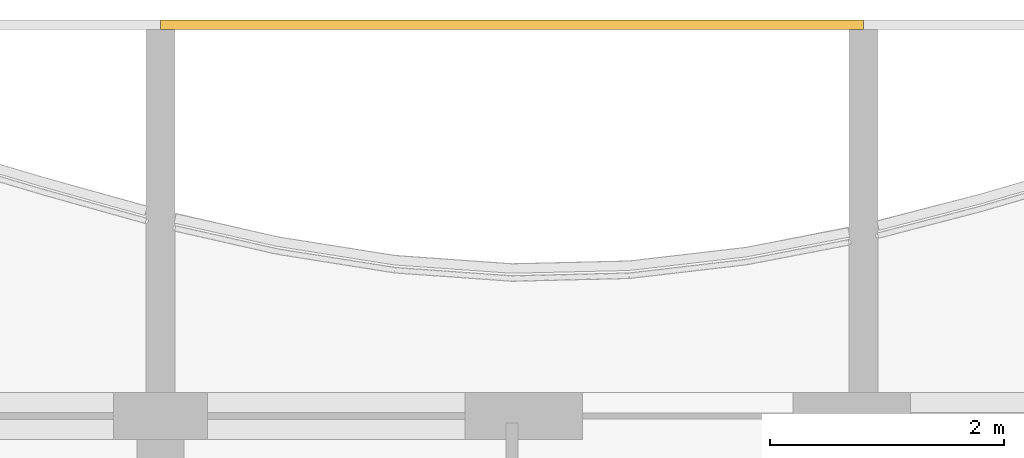
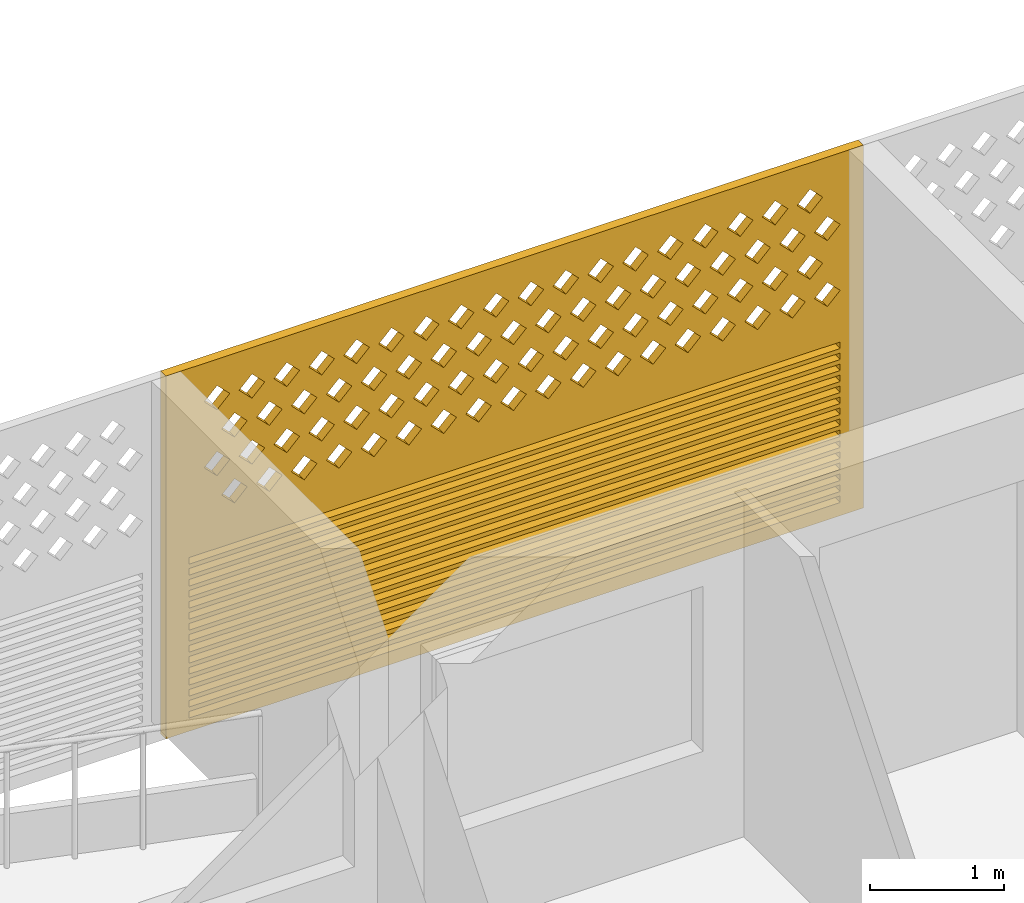
# One storey, part 36 of 40: 1 covering.
"""IFC4 building model written with IfcOpenShell, lengths in metres."""

from ifc_helpers import new_model, si_unit, direction, frame, origin, place, context, subcontext, project, spatial, polyline, outline, extrude, source, transform, mapped, material, material_profile, profile_set, type_object, element, save


model = new_model("IFC4")

# Units and contexts
model_context = context("Model", 3, precision=1e-05, world=origin(), true_north=direction((0.0, 1.0)))
body_context = subcontext(model_context, "Body", "Model", "MODEL_VIEW")
ifc_project = project(units=[si_unit("LENGTHUNIT", "METRE"), si_unit("AREAUNIT", "SQUARE_METRE"), si_unit("VOLUMEUNIT", "CUBIC_METRE"), si_unit("PLANEANGLEUNIT", "RADIAN"), si_unit("MASSUNIT", "GRAM", prefix="KILO")], contexts=[model_context])

# Site, building, storey
site_placement = place(None, origin())
site = spatial("IfcSite", under=ifc_project, at=site_placement, CompositionType="ELEMENT")
building_placement = place(site_placement, origin())
building = spatial("IfcBuilding", under=site, at=building_placement, Name="Poui Terraces", CompositionType="ELEMENT")
storey_placement = place(building_placement, frame((0.0, 0.0, 33.300048828125)))
storey = spatial("IfcBuildingStorey", under=building, at=storey_placement, Name="L08", CompositionType="ELEMENT", Elevation=33.300048828125)

# Covering
ifc_material = material(Name="Terracotta screen", Category="masonry")
ifc_material_profile = material_profile(ifc_material, outline(polyline([(-3.0, -1.64990234375), (3.0, -1.64990234375), (3.0, 1.64990234375), (-3.0, 1.64990234375), (-3.0, -1.64990234375)]), holes=[polyline([(-2.800048828125, 0.39990234375), (-2.68994140625, 0.2900390625), (-2.580078125, 0.39990234375), (-2.68994140625, 0.510009765625), (-2.800048828125, 0.39990234375)]), polyline([(-2.5, 0.39990234375), (-2.389892578125, 0.2900390625), (-2.280029296875, 0.39990234375), (-2.389892578125, 0.510009765625), (-2.5, 0.39990234375)]), polyline([(-2.199951171875, 0.39990234375), (-2.090087890625, 0.2900390625), (-1.97998046875, 0.39990234375), (-2.090087890625, 0.510009765625), (-2.199951171875, 0.39990234375)]), polyline([(-1.89990234375, 0.39990234375), (-1.7900390625, 0.2900390625), (-1.679931640625, 0.39990234375), (-1.7900390625, 0.510009765625), (-1.89990234375, 0.39990234375)]), polyline([(-1.60009765625, 0.39990234375), (-1.489990234375, 0.2900390625), (-1.3798828125, 0.39990234375), (-1.489990234375, 0.510009765625), (-1.60009765625, 0.39990234375)]), polyline([(-1.300048828125, 0.39990234375), (-1.18994140625, 0.2900390625), (-1.080078125, 0.39990234375), (-1.18994140625, 0.510009765625), (-1.300048828125, 0.39990234375)]), polyline([(-1.0, 0.39990234375), (-0.889892578125, 0.2900390625), (-0.780029296875, 0.39990234375), (-0.889892578125, 0.510009765625), (-1.0, 0.39990234375)]), polyline([(-0.699951171875, 0.39990234375), (-0.590087890625, 0.2900390625), (-0.47998046875, 0.39990234375), (-0.590087890625, 0.510009765625), (-0.699951171875, 0.39990234375)]), polyline([(-0.39990234375, 0.39990234375), (-0.2900390625, 0.2900390625), (-0.179931640625, 0.39990234375), (-0.2900390625, 0.510009765625), (-0.39990234375, 0.39990234375)]), polyline([(-0.10009765625, 0.39990234375), (0.010009765625, 0.2900390625), (0.1201171875, 0.39990234375), (0.010009765625, 0.510009765625), (-0.10009765625, 0.39990234375)]), polyline([(0.199951171875, 0.39990234375), (0.31005859375, 0.2900390625), (0.419921875, 0.39990234375), (0.31005859375, 0.510009765625), (0.199951171875, 0.39990234375)]), polyline([(0.5, 0.39990234375), (0.610107421875, 0.2900390625), (0.719970703125, 0.39990234375), (0.610107421875, 0.510009765625), (0.5, 0.39990234375)]), polyline([(0.800048828125, 0.39990234375), (0.909912109375, 0.2900390625), (1.02001953125, 0.39990234375), (0.909912109375, 0.510009765625), (0.800048828125, 0.39990234375)]), polyline([(1.10009765625, 0.39990234375), (1.2099609375, 0.2900390625), (1.320068359375, 0.39990234375), (1.2099609375, 0.510009765625), (1.10009765625, 0.39990234375)]), polyline([(1.39990234375, 0.39990234375), (1.510009765625, 0.2900390625), (1.6201171875, 0.39990234375), (1.510009765625, 0.510009765625), (1.39990234375, 0.39990234375)]), polyline([(1.699951171875, 0.39990234375), (1.81005859375, 0.2900390625), (1.919921875, 0.39990234375), (1.81005859375, 0.510009765625), (1.699951171875, 0.39990234375)]), polyline([(2.0, 0.39990234375), (2.110107421875, 0.2900390625), (2.219970703125, 0.39990234375), (2.110107421875, 0.510009765625), (2.0, 0.39990234375)]), polyline([(2.300048828125, 0.39990234375), (2.409912109375, 0.2900390625), (2.52001953125, 0.39990234375), (2.409912109375, 0.510009765625), (2.300048828125, 0.39990234375)]), polyline([(-2.64990234375, 0.699951171875), (-2.5400390625, 0.590087890625), (-2.429931640625, 0.699951171875), (-2.5400390625, 0.81005859375), (-2.64990234375, 0.699951171875)]), polyline([(-2.35009765625, 0.699951171875), (-2.239990234375, 0.590087890625), (-2.1298828125, 0.699951171875), (-2.239990234375, 0.81005859375), (-2.35009765625, 0.699951171875)]), polyline([(-2.050048828125, 0.699951171875), (-1.93994140625, 0.590087890625), (-1.830078125, 0.699951171875), (-1.93994140625, 0.81005859375), (-2.050048828125, 0.699951171875)]), polyline([(-1.75, 0.699951171875), (-1.639892578125, 0.590087890625), (-1.530029296875, 0.699951171875), (-1.639892578125, 0.81005859375), (-1.75, 0.699951171875)]), polyline([(-1.449951171875, 0.699951171875), (-1.340087890625, 0.590087890625), (-1.22998046875, 0.699951171875), (-1.340087890625, 0.81005859375), (-1.449951171875, 0.699951171875)]), polyline([(-1.14990234375, 0.699951171875), (-1.0400390625, 0.590087890625), (-0.929931640625, 0.699951171875), (-1.0400390625, 0.81005859375), (-1.14990234375, 0.699951171875)]), polyline([(-0.85009765625, 0.699951171875), (-0.739990234375, 0.590087890625), (-0.6298828125, 0.699951171875), (-0.739990234375, 0.81005859375), (-0.85009765625, 0.699951171875)]), polyline([(-0.550048828125, 0.699951171875), (-0.43994140625, 0.590087890625), (-0.330078125, 0.699951171875), (-0.43994140625, 0.81005859375), (-0.550048828125, 0.699951171875)]), polyline([(-0.25, 0.699951171875), (-0.139892578125, 0.590087890625), (-0.030029296875, 0.699951171875), (-0.139892578125, 0.81005859375), (-0.25, 0.699951171875)]), polyline([(0.050048828125, 0.699951171875), (0.159912109375, 0.590087890625), (0.27001953125, 0.699951171875), (0.159912109375, 0.81005859375), (0.050048828125, 0.699951171875)]), polyline([(0.35009765625, 0.699951171875), (0.4599609375, 0.590087890625), (0.570068359375, 0.699951171875), (0.4599609375, 0.81005859375), (0.35009765625, 0.699951171875)]), polyline([(0.64990234375, 0.699951171875), (0.760009765625, 0.590087890625), (0.8701171875, 0.699951171875), (0.760009765625, 0.81005859375), (0.64990234375, 0.699951171875)]), polyline([(0.949951171875, 0.699951171875), (1.06005859375, 0.590087890625), (1.169921875, 0.699951171875), (1.06005859375, 0.81005859375), (0.949951171875, 0.699951171875)]), polyline([(1.25, 0.699951171875), (1.360107421875, 0.590087890625), (1.469970703125, 0.699951171875), (1.360107421875, 0.81005859375), (1.25, 0.699951171875)]), polyline([(1.550048828125, 0.699951171875), (1.659912109375, 0.590087890625), (1.77001953125, 0.699951171875), (1.659912109375, 0.81005859375), (1.550048828125, 0.699951171875)]), polyline([(1.85009765625, 0.699951171875), (1.9599609375, 0.590087890625), (2.070068359375, 0.699951171875), (1.9599609375, 0.81005859375), (1.85009765625, 0.699951171875)]), polyline([(2.14990234375, 0.699951171875), (2.260009765625, 0.590087890625), (2.3701171875, 0.699951171875), (2.260009765625, 0.81005859375), (2.14990234375, 0.699951171875)]), polyline([(2.449951171875, 0.699951171875), (2.56005859375, 0.590087890625), (2.669921875, 0.699951171875), (2.56005859375, 0.81005859375), (2.449951171875, 0.699951171875)]), polyline([(-2.800048828125, 1.0), (-2.68994140625, 0.889892578125), (-2.580078125, 1.0), (-2.68994140625, 1.110107421875), (-2.800048828125, 1.0)]), polyline([(-2.5, 1.0), (-2.389892578125, 0.889892578125), (-2.280029296875, 1.0), (-2.389892578125, 1.110107421875), (-2.5, 1.0)]), polyline([(-2.199951171875, 1.0), (-2.090087890625, 0.889892578125), (-1.97998046875, 1.0), (-2.090087890625, 1.110107421875), (-2.199951171875, 1.0)]), polyline([(-1.89990234375, 1.0), (-1.7900390625, 0.889892578125), (-1.679931640625, 1.0), (-1.7900390625, 1.110107421875), (-1.89990234375, 1.0)]), polyline([(-1.60009765625, 1.0), (-1.489990234375, 0.889892578125), (-1.3798828125, 1.0), (-1.489990234375, 1.110107421875), (-1.60009765625, 1.0)]), polyline([(-1.300048828125, 1.0), (-1.18994140625, 0.889892578125), (-1.080078125, 1.0), (-1.18994140625, 1.110107421875), (-1.300048828125, 1.0)]), polyline([(-1.0, 1.0), (-0.889892578125, 0.889892578125), (-0.780029296875, 1.0), (-0.889892578125, 1.110107421875), (-1.0, 1.0)]), polyline([(-0.699951171875, 1.0), (-0.590087890625, 0.889892578125), (-0.47998046875, 1.0), (-0.590087890625, 1.110107421875), (-0.699951171875, 1.0)]), polyline([(-0.39990234375, 1.0), (-0.2900390625, 0.889892578125), (-0.179931640625, 1.0), (-0.2900390625, 1.110107421875), (-0.39990234375, 1.0)]), polyline([(-0.10009765625, 1.0), (0.010009765625, 0.889892578125), (0.1201171875, 1.0), (0.010009765625, 1.110107421875), (-0.10009765625, 1.0)]), polyline([(0.199951171875, 1.0), (0.31005859375, 0.889892578125), (0.419921875, 1.0), (0.31005859375, 1.110107421875), (0.199951171875, 1.0)]), polyline([(0.5, 1.0), (0.610107421875, 0.889892578125), (0.719970703125, 1.0), (0.610107421875, 1.110107421875), (0.5, 1.0)]), polyline([(0.800048828125, 1.0), (0.909912109375, 0.889892578125), (1.02001953125, 1.0), (0.909912109375, 1.110107421875), (0.800048828125, 1.0)]), polyline([(1.10009765625, 1.0), (1.2099609375, 0.889892578125), (1.320068359375, 1.0), (1.2099609375, 1.110107421875), (1.10009765625, 1.0)]), polyline([(1.39990234375, 1.0), (1.510009765625, 0.889892578125), (1.6201171875, 1.0), (1.510009765625, 1.110107421875), (1.39990234375, 1.0)]), polyline([(1.699951171875, 1.0), (1.81005859375, 0.889892578125), (1.919921875, 1.0), (1.81005859375, 1.110107421875), (1.699951171875, 1.0)]), polyline([(2.0, 1.0), (2.110107421875, 0.889892578125), (2.219970703125, 1.0), (2.110107421875, 1.110107421875), (2.0, 1.0)]), polyline([(2.300048828125, 1.0), (2.409912109375, 0.889892578125), (2.52001953125, 1.0), (2.409912109375, 1.110107421875), (2.300048828125, 1.0)]), polyline([(-2.64990234375, 1.300048828125), (-2.5400390625, 1.18994140625), (-2.429931640625, 1.300048828125), (-2.5400390625, 1.409912109375), (-2.64990234375, 1.300048828125)]), polyline([(-2.35009765625, 1.300048828125), (-2.239990234375, 1.18994140625), (-2.1298828125, 1.300048828125), (-2.239990234375, 1.409912109375), (-2.35009765625, 1.300048828125)]), polyline([(-2.050048828125, 1.300048828125), (-1.93994140625, 1.18994140625), (-1.830078125, 1.300048828125), (-1.93994140625, 1.409912109375), (-2.050048828125, 1.300048828125)]), polyline([(-1.75, 1.300048828125), (-1.639892578125, 1.18994140625), (-1.530029296875, 1.300048828125), (-1.639892578125, 1.409912109375), (-1.75, 1.300048828125)]), polyline([(-1.449951171875, 1.300048828125), (-1.340087890625, 1.18994140625), (-1.22998046875, 1.300048828125), (-1.340087890625, 1.409912109375), (-1.449951171875, 1.300048828125)]), polyline([(-1.14990234375, 1.300048828125), (-1.0400390625, 1.18994140625), (-0.929931640625, 1.300048828125), (-1.0400390625, 1.409912109375), (-1.14990234375, 1.300048828125)]), polyline([(-0.85009765625, 1.300048828125), (-0.739990234375, 1.18994140625), (-0.6298828125, 1.300048828125), (-0.739990234375, 1.409912109375), (-0.85009765625, 1.300048828125)]), polyline([(-0.550048828125, 1.300048828125), (-0.43994140625, 1.18994140625), (-0.330078125, 1.300048828125), (-0.43994140625, 1.409912109375), (-0.550048828125, 1.300048828125)]), polyline([(-0.25, 1.300048828125), (-0.139892578125, 1.18994140625), (-0.030029296875, 1.300048828125), (-0.139892578125, 1.409912109375), (-0.25, 1.300048828125)]), polyline([(0.050048828125, 1.300048828125), (0.159912109375, 1.18994140625), (0.27001953125, 1.300048828125), (0.159912109375, 1.409912109375), (0.050048828125, 1.300048828125)]), polyline([(0.35009765625, 1.300048828125), (0.4599609375, 1.18994140625), (0.570068359375, 1.300048828125), (0.4599609375, 1.409912109375), (0.35009765625, 1.300048828125)]), polyline([(0.64990234375, 1.300048828125), (0.760009765625, 1.18994140625), (0.8701171875, 1.300048828125), (0.760009765625, 1.409912109375), (0.64990234375, 1.300048828125)]), polyline([(0.949951171875, 1.300048828125), (1.06005859375, 1.18994140625), (1.169921875, 1.300048828125), (1.06005859375, 1.409912109375), (0.949951171875, 1.300048828125)]), polyline([(1.25, 1.300048828125), (1.360107421875, 1.18994140625), (1.469970703125, 1.300048828125), (1.360107421875, 1.409912109375), (1.25, 1.300048828125)]), polyline([(1.550048828125, 1.300048828125), (1.659912109375, 1.18994140625), (1.77001953125, 1.300048828125), (1.659912109375, 1.409912109375), (1.550048828125, 1.300048828125)]), polyline([(1.85009765625, 1.300048828125), (1.9599609375, 1.18994140625), (2.070068359375, 1.300048828125), (1.9599609375, 1.409912109375), (1.85009765625, 1.300048828125)]), polyline([(2.14990234375, 1.300048828125), (2.260009765625, 1.18994140625), (2.3701171875, 1.300048828125), (2.260009765625, 1.409912109375), (2.14990234375, 1.300048828125)]), polyline([(2.449951171875, 1.300048828125), (2.56005859375, 1.18994140625), (2.669921875, 1.300048828125), (2.56005859375, 1.409912109375), (2.449951171875, 1.300048828125)]), polyline([(-2.800048828125, -1.530029296875), (2.800048828125, -1.530029296875), (2.800048828125, -1.469970703125), (-2.800048828125, -1.469970703125), (-2.800048828125, -1.530029296875)]), polyline([(-2.800048828125, -1.429931640625), (2.800048828125, -1.429931640625), (2.800048828125, -1.3701171875), (-2.800048828125, -1.3701171875), (-2.800048828125, -1.429931640625)]), polyline([(-2.800048828125, -1.330078125), (2.800048828125, -1.330078125), (2.800048828125, -1.27001953125), (-2.800048828125, -1.27001953125), (-2.800048828125, -1.330078125)]), polyline([(-2.800048828125, -1.22998046875), (2.800048828125, -1.22998046875), (2.800048828125, -1.169921875), (-2.800048828125, -1.169921875), (-2.800048828125, -1.22998046875)]), polyline([(-2.800048828125, -1.1298828125), (2.800048828125, -1.1298828125), (2.800048828125, -1.070068359375), (-2.800048828125, -1.070068359375), (-2.800048828125, -1.1298828125)]), polyline([(-2.800048828125, -1.030029296875), (2.800048828125, -1.030029296875), (2.800048828125, -0.969970703125), (-2.800048828125, -0.969970703125), (-2.800048828125, -1.030029296875)]), polyline([(-2.800048828125, -0.929931640625), (2.800048828125, -0.929931640625), (2.800048828125, -0.8701171875), (-2.800048828125, -0.8701171875), (-2.800048828125, -0.929931640625)]), polyline([(-2.800048828125, -0.830078125), (2.800048828125, -0.830078125), (2.800048828125, -0.77001953125), (-2.800048828125, -0.77001953125), (-2.800048828125, -0.830078125)]), polyline([(-2.800048828125, -0.72998046875), (2.800048828125, -0.72998046875), (2.800048828125, -0.669921875), (-2.800048828125, -0.669921875), (-2.800048828125, -0.72998046875)]), polyline([(-2.800048828125, -0.6298828125), (2.800048828125, -0.6298828125), (2.800048828125, -0.570068359375), (-2.800048828125, -0.570068359375), (-2.800048828125, -0.6298828125)]), polyline([(-2.800048828125, -0.530029296875), (2.800048828125, -0.530029296875), (2.800048828125, -0.469970703125), (-2.800048828125, -0.469970703125), (-2.800048828125, -0.530029296875)]), polyline([(-2.800048828125, -0.429931640625), (2.800048828125, -0.429931640625), (2.800048828125, -0.3701171875), (-2.800048828125, -0.3701171875), (-2.800048828125, -0.429931640625)]), polyline([(-2.800048828125, -0.330078125), (2.800048828125, -0.330078125), (2.800048828125, -0.27001953125), (-2.800048828125, -0.27001953125), (-2.800048828125, -0.330078125)]), polyline([(-2.800048828125, -0.22998046875), (2.800048828125, -0.22998046875), (2.800048828125, -0.169921875), (-2.800048828125, -0.169921875), (-2.800048828125, -0.22998046875)]), polyline([(-2.800048828125, -0.1298828125), (2.800048828125, -0.1298828125), (2.800048828125, -0.070068359375), (-2.800048828125, -0.070068359375), (-2.800048828125, -0.1298828125)])]), Name="TERRACOTTA SCREEN AND JALOUSIE LOUVRE 6000X3300")
ifc_profile_set = profile_set([ifc_material_profile], Name="Terracotta screen")
covering_type = type_object("IfcCoveringType", Name="TERRACOTTA SCREEN AND JALOUSIE LOUVRE 6000X3300", PredefinedType="CLADDING", material=ifc_profile_set)
shared_shape = source(origin(), body_context, "Body", "SweptSolid", [
    extrude(outline(polyline([(-3.0, -1.64990234375), (3.0, -1.64990234375), (3.0, 1.64990234375), (-3.0, 1.64990234375), (-3.0, -1.64990234375)]), holes=[polyline([(-2.800048828125, 0.39990234375), (-2.68994140625, 0.2900390625), (-2.580078125, 0.39990234375), (-2.68994140625, 0.510009765625), (-2.800048828125, 0.39990234375)]), polyline([(-2.5, 0.39990234375), (-2.389892578125, 0.2900390625), (-2.280029296875, 0.39990234375), (-2.389892578125, 0.510009765625), (-2.5, 0.39990234375)]), polyline([(-2.199951171875, 0.39990234375), (-2.090087890625, 0.2900390625), (-1.97998046875, 0.39990234375), (-2.090087890625, 0.510009765625), (-2.199951171875, 0.39990234375)]), polyline([(-1.89990234375, 0.39990234375), (-1.7900390625, 0.2900390625), (-1.679931640625, 0.39990234375), (-1.7900390625, 0.510009765625), (-1.89990234375, 0.39990234375)]), polyline([(-1.60009765625, 0.39990234375), (-1.489990234375, 0.2900390625), (-1.3798828125, 0.39990234375), (-1.489990234375, 0.510009765625), (-1.60009765625, 0.39990234375)]), polyline([(-1.300048828125, 0.39990234375), (-1.18994140625, 0.2900390625), (-1.080078125, 0.39990234375), (-1.18994140625, 0.510009765625), (-1.300048828125, 0.39990234375)]), polyline([(-1.0, 0.39990234375), (-0.889892578125, 0.2900390625), (-0.780029296875, 0.39990234375), (-0.889892578125, 0.510009765625), (-1.0, 0.39990234375)]), polyline([(-0.699951171875, 0.39990234375), (-0.590087890625, 0.2900390625), (-0.47998046875, 0.39990234375), (-0.590087890625, 0.510009765625), (-0.699951171875, 0.39990234375)]), polyline([(-0.39990234375, 0.39990234375), (-0.2900390625, 0.2900390625), (-0.179931640625, 0.39990234375), (-0.2900390625, 0.510009765625), (-0.39990234375, 0.39990234375)]), polyline([(-0.10009765625, 0.39990234375), (0.010009765625, 0.2900390625), (0.1201171875, 0.39990234375), (0.010009765625, 0.510009765625), (-0.10009765625, 0.39990234375)]), polyline([(0.199951171875, 0.39990234375), (0.31005859375, 0.2900390625), (0.419921875, 0.39990234375), (0.31005859375, 0.510009765625), (0.199951171875, 0.39990234375)]), polyline([(0.5, 0.39990234375), (0.610107421875, 0.2900390625), (0.719970703125, 0.39990234375), (0.610107421875, 0.510009765625), (0.5, 0.39990234375)]), polyline([(0.800048828125, 0.39990234375), (0.909912109375, 0.2900390625), (1.02001953125, 0.39990234375), (0.909912109375, 0.510009765625), (0.800048828125, 0.39990234375)]), polyline([(1.10009765625, 0.39990234375), (1.2099609375, 0.2900390625), (1.320068359375, 0.39990234375), (1.2099609375, 0.510009765625), (1.10009765625, 0.39990234375)]), polyline([(1.39990234375, 0.39990234375), (1.510009765625, 0.2900390625), (1.6201171875, 0.39990234375), (1.510009765625, 0.510009765625), (1.39990234375, 0.39990234375)]), polyline([(1.699951171875, 0.39990234375), (1.81005859375, 0.2900390625), (1.919921875, 0.39990234375), (1.81005859375, 0.510009765625), (1.699951171875, 0.39990234375)]), polyline([(2.0, 0.39990234375), (2.110107421875, 0.2900390625), (2.219970703125, 0.39990234375), (2.110107421875, 0.510009765625), (2.0, 0.39990234375)]), polyline([(2.300048828125, 0.39990234375), (2.409912109375, 0.2900390625), (2.52001953125, 0.39990234375), (2.409912109375, 0.510009765625), (2.300048828125, 0.39990234375)]), polyline([(-2.64990234375, 0.699951171875), (-2.5400390625, 0.590087890625), (-2.429931640625, 0.699951171875), (-2.5400390625, 0.81005859375), (-2.64990234375, 0.699951171875)]), polyline([(-2.35009765625, 0.699951171875), (-2.239990234375, 0.590087890625), (-2.1298828125, 0.699951171875), (-2.239990234375, 0.81005859375), (-2.35009765625, 0.699951171875)]), polyline([(-2.050048828125, 0.699951171875), (-1.93994140625, 0.590087890625), (-1.830078125, 0.699951171875), (-1.93994140625, 0.81005859375), (-2.050048828125, 0.699951171875)]), polyline([(-1.75, 0.699951171875), (-1.639892578125, 0.590087890625), (-1.530029296875, 0.699951171875), (-1.639892578125, 0.81005859375), (-1.75, 0.699951171875)]), polyline([(-1.449951171875, 0.699951171875), (-1.340087890625, 0.590087890625), (-1.22998046875, 0.699951171875), (-1.340087890625, 0.81005859375), (-1.449951171875, 0.699951171875)]), polyline([(-1.14990234375, 0.699951171875), (-1.0400390625, 0.590087890625), (-0.929931640625, 0.699951171875), (-1.0400390625, 0.81005859375), (-1.14990234375, 0.699951171875)]), polyline([(-0.85009765625, 0.699951171875), (-0.739990234375, 0.590087890625), (-0.6298828125, 0.699951171875), (-0.739990234375, 0.81005859375), (-0.85009765625, 0.699951171875)]), polyline([(-0.550048828125, 0.699951171875), (-0.43994140625, 0.590087890625), (-0.330078125, 0.699951171875), (-0.43994140625, 0.81005859375), (-0.550048828125, 0.699951171875)]), polyline([(-0.25, 0.699951171875), (-0.139892578125, 0.590087890625), (-0.030029296875, 0.699951171875), (-0.139892578125, 0.81005859375), (-0.25, 0.699951171875)]), polyline([(0.050048828125, 0.699951171875), (0.159912109375, 0.590087890625), (0.27001953125, 0.699951171875), (0.159912109375, 0.81005859375), (0.050048828125, 0.699951171875)]), polyline([(0.35009765625, 0.699951171875), (0.4599609375, 0.590087890625), (0.570068359375, 0.699951171875), (0.4599609375, 0.81005859375), (0.35009765625, 0.699951171875)]), polyline([(0.64990234375, 0.699951171875), (0.760009765625, 0.590087890625), (0.8701171875, 0.699951171875), (0.760009765625, 0.81005859375), (0.64990234375, 0.699951171875)]), polyline([(0.949951171875, 0.699951171875), (1.06005859375, 0.590087890625), (1.169921875, 0.699951171875), (1.06005859375, 0.81005859375), (0.949951171875, 0.699951171875)]), polyline([(1.25, 0.699951171875), (1.360107421875, 0.590087890625), (1.469970703125, 0.699951171875), (1.360107421875, 0.81005859375), (1.25, 0.699951171875)]), polyline([(1.550048828125, 0.699951171875), (1.659912109375, 0.590087890625), (1.77001953125, 0.699951171875), (1.659912109375, 0.81005859375), (1.550048828125, 0.699951171875)]), polyline([(1.85009765625, 0.699951171875), (1.9599609375, 0.590087890625), (2.070068359375, 0.699951171875), (1.9599609375, 0.81005859375), (1.85009765625, 0.699951171875)]), polyline([(2.14990234375, 0.699951171875), (2.260009765625, 0.590087890625), (2.3701171875, 0.699951171875), (2.260009765625, 0.81005859375), (2.14990234375, 0.699951171875)]), polyline([(2.449951171875, 0.699951171875), (2.56005859375, 0.590087890625), (2.669921875, 0.699951171875), (2.56005859375, 0.81005859375), (2.449951171875, 0.699951171875)]), polyline([(-2.800048828125, 1.0), (-2.68994140625, 0.889892578125), (-2.580078125, 1.0), (-2.68994140625, 1.110107421875), (-2.800048828125, 1.0)]), polyline([(-2.5, 1.0), (-2.389892578125, 0.889892578125), (-2.280029296875, 1.0), (-2.389892578125, 1.110107421875), (-2.5, 1.0)]), polyline([(-2.199951171875, 1.0), (-2.090087890625, 0.889892578125), (-1.97998046875, 1.0), (-2.090087890625, 1.110107421875), (-2.199951171875, 1.0)]), polyline([(-1.89990234375, 1.0), (-1.7900390625, 0.889892578125), (-1.679931640625, 1.0), (-1.7900390625, 1.110107421875), (-1.89990234375, 1.0)]), polyline([(-1.60009765625, 1.0), (-1.489990234375, 0.889892578125), (-1.3798828125, 1.0), (-1.489990234375, 1.110107421875), (-1.60009765625, 1.0)]), polyline([(-1.300048828125, 1.0), (-1.18994140625, 0.889892578125), (-1.080078125, 1.0), (-1.18994140625, 1.110107421875), (-1.300048828125, 1.0)]), polyline([(-1.0, 1.0), (-0.889892578125, 0.889892578125), (-0.780029296875, 1.0), (-0.889892578125, 1.110107421875), (-1.0, 1.0)]), polyline([(-0.699951171875, 1.0), (-0.590087890625, 0.889892578125), (-0.47998046875, 1.0), (-0.590087890625, 1.110107421875), (-0.699951171875, 1.0)]), polyline([(-0.39990234375, 1.0), (-0.2900390625, 0.889892578125), (-0.179931640625, 1.0), (-0.2900390625, 1.110107421875), (-0.39990234375, 1.0)]), polyline([(-0.10009765625, 1.0), (0.010009765625, 0.889892578125), (0.1201171875, 1.0), (0.010009765625, 1.110107421875), (-0.10009765625, 1.0)]), polyline([(0.199951171875, 1.0), (0.31005859375, 0.889892578125), (0.419921875, 1.0), (0.31005859375, 1.110107421875), (0.199951171875, 1.0)]), polyline([(0.5, 1.0), (0.610107421875, 0.889892578125), (0.719970703125, 1.0), (0.610107421875, 1.110107421875), (0.5, 1.0)]), polyline([(0.800048828125, 1.0), (0.909912109375, 0.889892578125), (1.02001953125, 1.0), (0.909912109375, 1.110107421875), (0.800048828125, 1.0)]), polyline([(1.10009765625, 1.0), (1.2099609375, 0.889892578125), (1.320068359375, 1.0), (1.2099609375, 1.110107421875), (1.10009765625, 1.0)]), polyline([(1.39990234375, 1.0), (1.510009765625, 0.889892578125), (1.6201171875, 1.0), (1.510009765625, 1.110107421875), (1.39990234375, 1.0)]), polyline([(1.699951171875, 1.0), (1.81005859375, 0.889892578125), (1.919921875, 1.0), (1.81005859375, 1.110107421875), (1.699951171875, 1.0)]), polyline([(2.0, 1.0), (2.110107421875, 0.889892578125), (2.219970703125, 1.0), (2.110107421875, 1.110107421875), (2.0, 1.0)]), polyline([(2.300048828125, 1.0), (2.409912109375, 0.889892578125), (2.52001953125, 1.0), (2.409912109375, 1.110107421875), (2.300048828125, 1.0)]), polyline([(-2.64990234375, 1.300048828125), (-2.5400390625, 1.18994140625), (-2.429931640625, 1.300048828125), (-2.5400390625, 1.409912109375), (-2.64990234375, 1.300048828125)]), polyline([(-2.35009765625, 1.300048828125), (-2.239990234375, 1.18994140625), (-2.1298828125, 1.300048828125), (-2.239990234375, 1.409912109375), (-2.35009765625, 1.300048828125)]), polyline([(-2.050048828125, 1.300048828125), (-1.93994140625, 1.18994140625), (-1.830078125, 1.300048828125), (-1.93994140625, 1.409912109375), (-2.050048828125, 1.300048828125)]), polyline([(-1.75, 1.300048828125), (-1.639892578125, 1.18994140625), (-1.530029296875, 1.300048828125), (-1.639892578125, 1.409912109375), (-1.75, 1.300048828125)]), polyline([(-1.449951171875, 1.300048828125), (-1.340087890625, 1.18994140625), (-1.22998046875, 1.300048828125), (-1.340087890625, 1.409912109375), (-1.449951171875, 1.300048828125)]), polyline([(-1.14990234375, 1.300048828125), (-1.0400390625, 1.18994140625), (-0.929931640625, 1.300048828125), (-1.0400390625, 1.409912109375), (-1.14990234375, 1.300048828125)]), polyline([(-0.85009765625, 1.300048828125), (-0.739990234375, 1.18994140625), (-0.6298828125, 1.300048828125), (-0.739990234375, 1.409912109375), (-0.85009765625, 1.300048828125)]), polyline([(-0.550048828125, 1.300048828125), (-0.43994140625, 1.18994140625), (-0.330078125, 1.300048828125), (-0.43994140625, 1.409912109375), (-0.550048828125, 1.300048828125)]), polyline([(-0.25, 1.300048828125), (-0.139892578125, 1.18994140625), (-0.030029296875, 1.300048828125), (-0.139892578125, 1.409912109375), (-0.25, 1.300048828125)]), polyline([(0.050048828125, 1.300048828125), (0.159912109375, 1.18994140625), (0.27001953125, 1.300048828125), (0.159912109375, 1.409912109375), (0.050048828125, 1.300048828125)]), polyline([(0.35009765625, 1.300048828125), (0.4599609375, 1.18994140625), (0.570068359375, 1.300048828125), (0.4599609375, 1.409912109375), (0.35009765625, 1.300048828125)]), polyline([(0.64990234375, 1.300048828125), (0.760009765625, 1.18994140625), (0.8701171875, 1.300048828125), (0.760009765625, 1.409912109375), (0.64990234375, 1.300048828125)]), polyline([(0.949951171875, 1.300048828125), (1.06005859375, 1.18994140625), (1.169921875, 1.300048828125), (1.06005859375, 1.409912109375), (0.949951171875, 1.300048828125)]), polyline([(1.25, 1.300048828125), (1.360107421875, 1.18994140625), (1.469970703125, 1.300048828125), (1.360107421875, 1.409912109375), (1.25, 1.300048828125)]), polyline([(1.550048828125, 1.300048828125), (1.659912109375, 1.18994140625), (1.77001953125, 1.300048828125), (1.659912109375, 1.409912109375), (1.550048828125, 1.300048828125)]), polyline([(1.85009765625, 1.300048828125), (1.9599609375, 1.18994140625), (2.070068359375, 1.300048828125), (1.9599609375, 1.409912109375), (1.85009765625, 1.300048828125)]), polyline([(2.14990234375, 1.300048828125), (2.260009765625, 1.18994140625), (2.3701171875, 1.300048828125), (2.260009765625, 1.409912109375), (2.14990234375, 1.300048828125)]), polyline([(2.449951171875, 1.300048828125), (2.56005859375, 1.18994140625), (2.669921875, 1.300048828125), (2.56005859375, 1.409912109375), (2.449951171875, 1.300048828125)]), polyline([(-2.800048828125, -1.530029296875), (2.800048828125, -1.530029296875), (2.800048828125, -1.469970703125), (-2.800048828125, -1.469970703125), (-2.800048828125, -1.530029296875)]), polyline([(-2.800048828125, -1.429931640625), (2.800048828125, -1.429931640625), (2.800048828125, -1.3701171875), (-2.800048828125, -1.3701171875), (-2.800048828125, -1.429931640625)]), polyline([(-2.800048828125, -1.330078125), (2.800048828125, -1.330078125), (2.800048828125, -1.27001953125), (-2.800048828125, -1.27001953125), (-2.800048828125, -1.330078125)]), polyline([(-2.800048828125, -1.22998046875), (2.800048828125, -1.22998046875), (2.800048828125, -1.169921875), (-2.800048828125, -1.169921875), (-2.800048828125, -1.22998046875)]), polyline([(-2.800048828125, -1.1298828125), (2.800048828125, -1.1298828125), (2.800048828125, -1.070068359375), (-2.800048828125, -1.070068359375), (-2.800048828125, -1.1298828125)]), polyline([(-2.800048828125, -1.030029296875), (2.800048828125, -1.030029296875), (2.800048828125, -0.969970703125), (-2.800048828125, -0.969970703125), (-2.800048828125, -1.030029296875)]), polyline([(-2.800048828125, -0.929931640625), (2.800048828125, -0.929931640625), (2.800048828125, -0.8701171875), (-2.800048828125, -0.8701171875), (-2.800048828125, -0.929931640625)]), polyline([(-2.800048828125, -0.830078125), (2.800048828125, -0.830078125), (2.800048828125, -0.77001953125), (-2.800048828125, -0.77001953125), (-2.800048828125, -0.830078125)]), polyline([(-2.800048828125, -0.72998046875), (2.800048828125, -0.72998046875), (2.800048828125, -0.669921875), (-2.800048828125, -0.669921875), (-2.800048828125, -0.72998046875)]), polyline([(-2.800048828125, -0.6298828125), (2.800048828125, -0.6298828125), (2.800048828125, -0.570068359375), (-2.800048828125, -0.570068359375), (-2.800048828125, -0.6298828125)]), polyline([(-2.800048828125, -0.530029296875), (2.800048828125, -0.530029296875), (2.800048828125, -0.469970703125), (-2.800048828125, -0.469970703125), (-2.800048828125, -0.530029296875)]), polyline([(-2.800048828125, -0.429931640625), (2.800048828125, -0.429931640625), (2.800048828125, -0.3701171875), (-2.800048828125, -0.3701171875), (-2.800048828125, -0.429931640625)]), polyline([(-2.800048828125, -0.330078125), (2.800048828125, -0.330078125), (2.800048828125, -0.27001953125), (-2.800048828125, -0.27001953125), (-2.800048828125, -0.330078125)]), polyline([(-2.800048828125, -0.22998046875), (2.800048828125, -0.22998046875), (2.800048828125, -0.169921875), (-2.800048828125, -0.169921875), (-2.800048828125, -0.22998046875)]), polyline([(-2.800048828125, -0.1298828125), (2.800048828125, -0.1298828125), (2.800048828125, -0.070068359375), (-2.800048828125, -0.070068359375), (-2.800048828125, -0.1298828125)])]), origin(), (0.0, 0.0, 1.0), 0.079833984375),
])
covering_placement = place(storey_placement, frame((81.0, 48.10009765625, 1.449951171875), z_axis=(0.0, 1.0, 0.0), x_axis=(-1.0, 0.0, 0.0)))
element("IfcCovering", 1, at=covering_placement, inside=storey, type_object=covering_type, Name="SOLAR SCREEN AND JALOUSIE LOUVRE", PredefinedType="CLADDING", context=body_context, shape_type="MappedRepresentation", body=[
    mapped(shared_shape, transform((0.0, 0.0, 0.0))),
])

save(model, "model.ifc")
